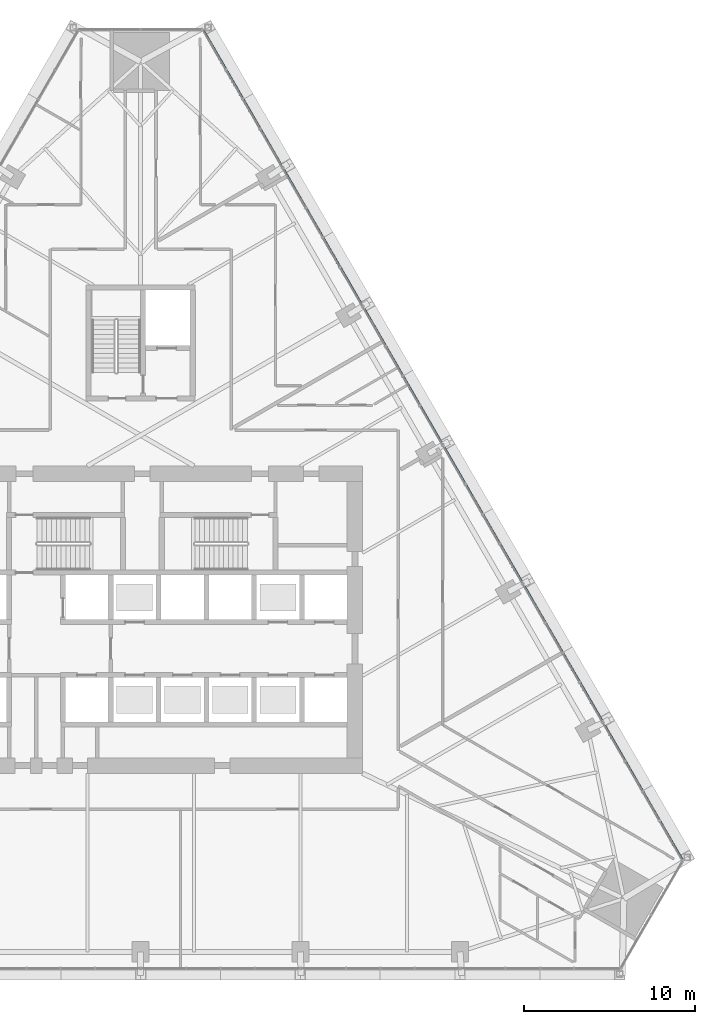
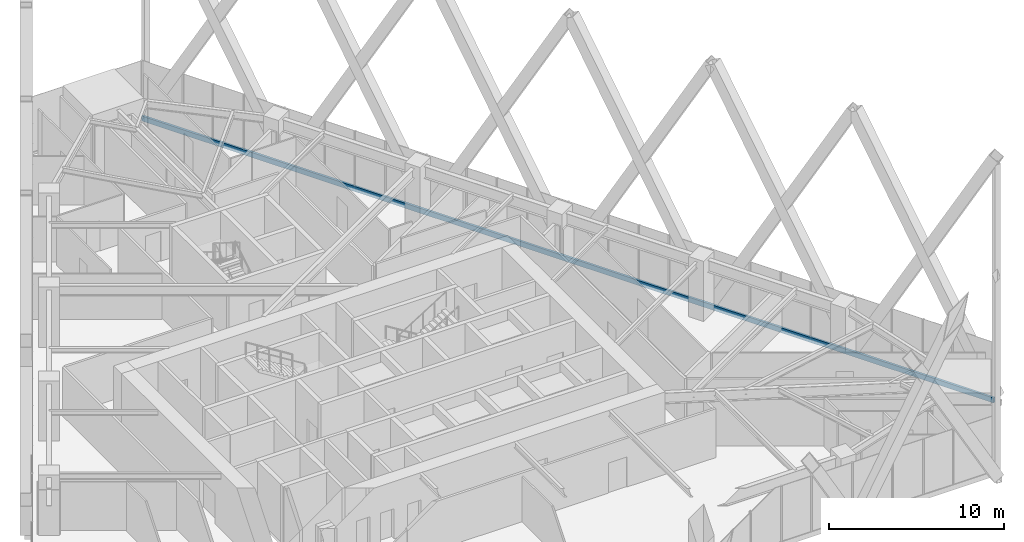
# One storey, part 9 of 21: 1 member, 1 element without a shape of its own.
"""IFC4 building model written with IfcOpenShell, lengths in metres."""

from ifc_helpers import new_model, si_unit, direction, frame, origin, origin_2d, place, context, subcontext, project, spatial, rectangle, extrude, material, layer, layer_set, material_profile, profile_set, type_object, element, aggregate, save


model = new_model("IFC4")

# Units and contexts
model_context = context("Model", 3, precision=1e-05, world=origin(), true_north=direction((0.0, 1.0)))
body_context = subcontext(model_context, "Body", "Model", "MODEL_VIEW")
ifc_project = project(units=[si_unit("LENGTHUNIT", "METRE"), si_unit("AREAUNIT", "SQUARE_METRE"), si_unit("VOLUMEUNIT", "CUBIC_METRE"), si_unit("PLANEANGLEUNIT", "RADIAN"), si_unit("MASSUNIT", "GRAM", prefix="KILO")], contexts=[model_context])

# Site, building, storey
site_placement = place(None, origin())
site = spatial("IfcSite", under=ifc_project, at=site_placement, CompositionType="ELEMENT")
building_placement = place(site_placement, origin())
building = spatial("IfcBuilding", under=site, at=building_placement, Name="Firuza Gate Tower and Library", CompositionType="ELEMENT")
storey_placement = place(building_placement, frame((0.0, 0.0, 107.199951171875)))
storey = spatial("IfcBuildingStorey", under=building, at=storey_placement, Name="L24", CompositionType="ELEMENT", Elevation=107.199951171875)

# Curtain wall, member
ifc_material_1 = material(Name="Aluminium 6063-T6", Category="aluminium")
ifc_layer = layer(ifc_material_1, 0.14990234375)
ifc_layer_set = layer_set([ifc_layer], Name="Unitised curtain wall, offices")
curtain_wall_type = type_object("IfcCurtainWallType", Name="Unitised curtain wall, offices", PredefinedType="NOTDEFINED", material=ifc_layer_set)
curtain_wall_placement = place(storey_placement, origin())
curtain_wall = element("IfcCurtainWall", 1, at=curtain_wall_placement, inside=storey, type_object=curtain_wall_type, Name="CW1 L24 E face", PredefinedType="NOTDEFINED")
ifc_material_2 = material(Name="Aluminium 6063-T6", Category="aluminium")
ifc_material_profile = material_profile(ifc_material_2, rectangle(XDim=0.14990234375, YDim=0.35009765625, at=origin_2d()))
ifc_profile_set = profile_set([ifc_material_profile], Name="Aluminium 6063-T6")
member_type = type_object("IfcMemberType", Name="Curtain wall transom 350x150", PredefinedType="USERDEFINED", material=ifc_profile_set)
member_placement = place(storey_placement, frame((106.749267578125, 60.87646484375, -0.02490234375), z_axis=(-0.500000287872, 0.866025237581, 0.0), x_axis=(-0.866025237581, -0.500000287872, 0.0)))
member = element("IfcMember", 2, at=member_placement, type_object=member_type, Name="Transom", ObjectType="TRANSOM", PredefinedType="USERDEFINED", context=body_context, shape_type="SweptSolid", body=[
    extrude(rectangle(XDim=0.14990234375, YDim=0.35009765625, at=origin_2d()), origin(), (0.0, 0.0, 1.0), 56.2119140625),
])
aggregate(curtain_wall, [member])

save(model, "model.ifc")
